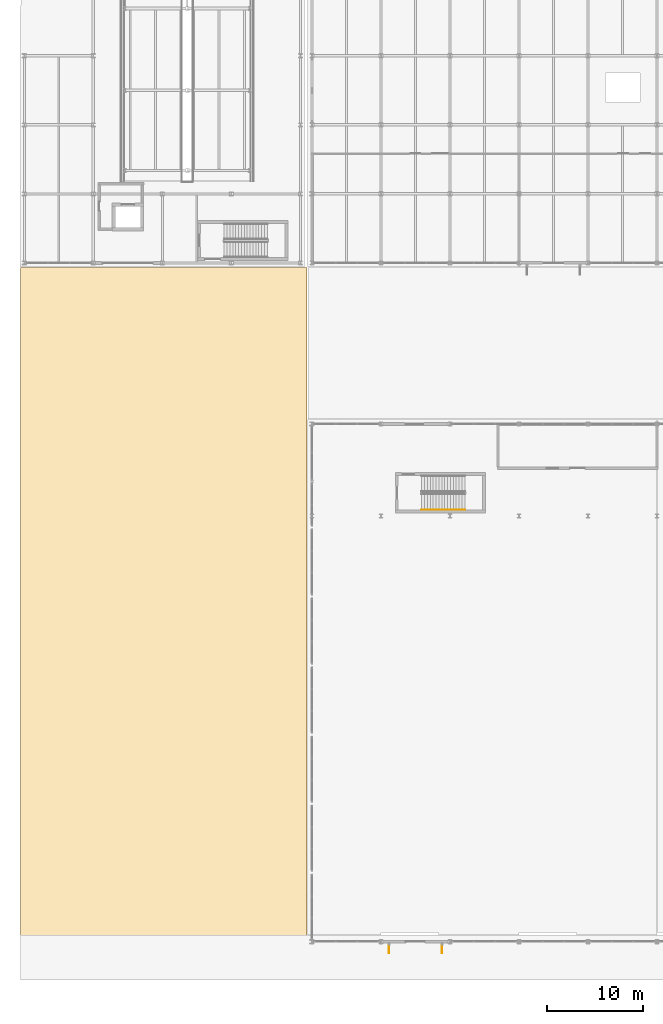
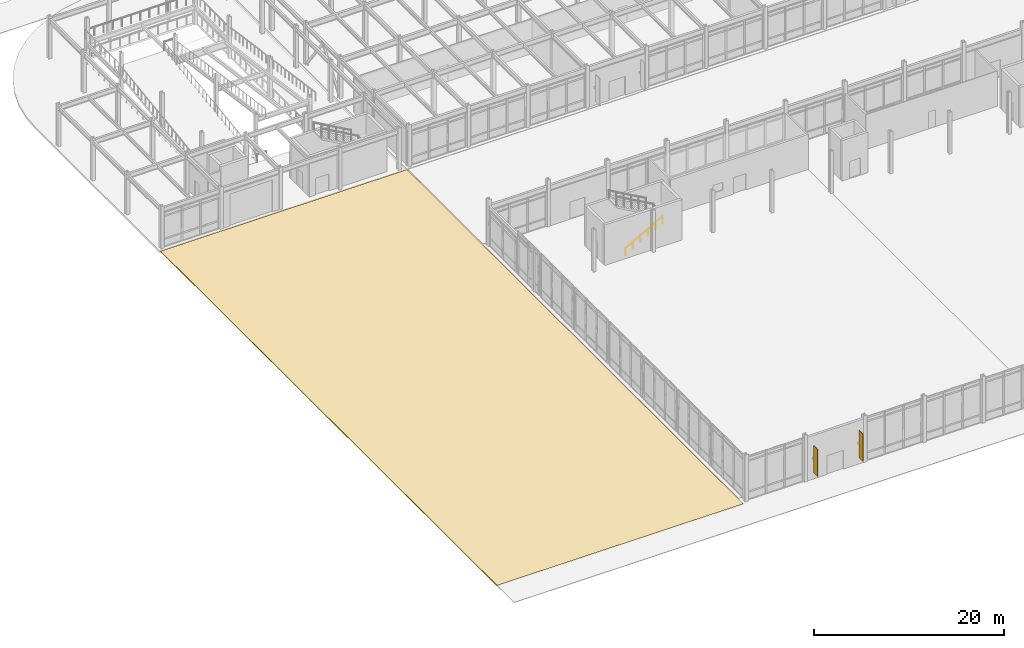
# One storey, part 84 of 104: 2 shading devices, 1 covering, 1 railing.
"""IFC4 building model written with IfcOpenShell, lengths in metres."""

from ifc_helpers import new_model, si_unit, direction, frame, origin, origin_2d, place, context, subcontext, project, spatial, polyline, rectangle, circle, outline, extrude, material, layer, layer_set, type_object, element, save


model = new_model("IFC4")

# Units and contexts
model_context = context("Model", 3, precision=1e-05, world=origin(), true_north=direction((0.0, 1.0)))
body_context = subcontext(model_context, "Body", "Model", "MODEL_VIEW")
ifc_project = project(units=[si_unit("LENGTHUNIT", "METRE"), si_unit("AREAUNIT", "SQUARE_METRE"), si_unit("VOLUMEUNIT", "CUBIC_METRE"), si_unit("PLANEANGLEUNIT", "RADIAN"), si_unit("MASSUNIT", "GRAM", prefix="KILO")], contexts=[model_context])

# Site, building, storey
site_placement = place(None, origin())
site = spatial("IfcSite", under=ifc_project, at=site_placement, CompositionType="ELEMENT")
building_placement = place(site_placement, origin())
building = spatial("IfcBuilding", under=site, at=building_placement, Name="Vaelcorin Mobility Hub", CompositionType="ELEMENT")
storey_placement = place(building_placement, origin())
storey = spatial("IfcBuildingStorey", under=building, at=storey_placement, Name="L00", CompositionType="ELEMENT", Elevation=0.0)

# Covering
ifc_material_1 = material(Name="Permeable granite plaza paving", Category="masonry")
ifc_layer_1 = layer(ifc_material_1, 0.080078125)
ifc_layer_set_1 = layer_set([ifc_layer_1], Name="Permeable granite plaza paving")
covering_type = type_object("IfcCoveringType", Name="COV-PAVE-80", PredefinedType="USERDEFINED", material=ifc_layer_set_1)
covering_placement = place(storey_placement, frame((0.0, 0.0, -0.080078125)))
element("IfcCovering", 1, at=covering_placement, inside=storey, type_object=covering_type, Name="South-West Bus Forecourt Apron", ObjectType="SITE PAVING", PredefinedType="USERDEFINED", context=body_context, shape_type="SweptSolid", body=[
    extrude(outline(polyline([(5.60009765625, 5.60009765625), (35.5, 5.60009765625), (35.5, 76.300048828125), (5.60009765625, 76.300048828125), (5.60009765625, 5.60009765625)])), origin(), (0.0, 0.0, 1.0), 0.080078125),
])

# Railing
ifc_material_2 = material(Name="Brushed stainless steel 316L", Category="steel")
ifc_layer_2 = layer(ifc_material_2, 0.048095703125)
ifc_layer_set_2 = layer_set([ifc_layer_2], Name="Brushed stainless steel 316L")
railing_type = type_object("IfcRailingType", Name="RL-STAIR-HR", PredefinedType="HANDRAIL", material=ifc_layer_set_2)
railing_placement = place(storey_placement, frame((47.449951171875, 51.050048828125, 0.168701171875)))
element("IfcRailing", 2, at=railing_placement, inside=storey, type_object=railing_type, Name="L00 ST7 stair handrail 1", PredefinedType="HANDRAIL", context=body_context, shape_type="SweptSolid", body=[
    extrude(circle(Radius=0.02392578125, at=origin_2d()), frame((0.0, 0.0, 0.8759765625), z_axis=(0.871575537125, 0.0, 0.490261239633), x_axis=(0.0, 1.0, 0.0)), (0.0, 0.0, 1.0), 5.1630859375),
    extrude(circle(Radius=0.02099609375, at=origin_2d()), origin(), (0.0, 0.0, 1.0), 0.851806640625),
    extrude(circle(Radius=0.02099609375, at=origin_2d()), frame((0.89990234375, 0.0, 0.50634765625)), (0.0, 0.0, 1.0), 0.851806640625),
    extrude(circle(Radius=0.02099609375, at=origin_2d()), frame((1.800048828125, 0.0, 1.012451171875)), (0.0, 0.0, 1.0), 0.851806640625),
    extrude(circle(Radius=0.02099609375, at=origin_2d()), frame((2.699951171875, 0.0, 1.518798828125)), (0.0, 0.0, 1.0), 0.851806640625),
    extrude(circle(Radius=0.02099609375, at=origin_2d()), frame((3.60009765625, 0.0, 2.02490234375)), (0.0, 0.0, 1.0), 0.851806640625),
    extrude(circle(Radius=0.02099609375, at=origin_2d()), frame((4.5, 0.0, 2.53125)), (0.0, 0.0, 1.0), 0.851806640625),
])

# Shading devices
ifc_material_3 = material(Name="Perforated terracotta-bronze aluminium aerofoil", Category="masonry")
shading_device_type = type_object("IfcShadingDeviceType", Name="SHD-FIN-1", PredefinedType="USERDEFINED", material=ifc_material_3)
for number, where, z_axis, x_axis, name in (
    (3, (44.050048828125, 5.199951171875, 1.0), (0.0, 0.0, 1.0), (1.0, 0.0, 0.0), "Concourse Portal Shading Fin 01"),
    (4, (49.550048828125, 5.199951171875, 1.0), (0.0, 0.0, 1.0), (1.0, 0.0, 0.0), "Concourse Portal Shading Fin 02"),
):
    element("IfcShadingDevice", number, at=place(storey_placement, frame(where, z_axis=z_axis, x_axis=x_axis)), inside=storey, type_object=shading_device_type, Name=name, ObjectType="FIN", PredefinedType="USERDEFINED", context=body_context, shape_type="SweptSolid", body=[
        extrude(rectangle(XDim=0.06494140625, YDim=0.85009765625, at=origin_2d()), origin(), (0.0, 0.0, 1.0), 3.5),
    ])

save(model, "model.ifc")
